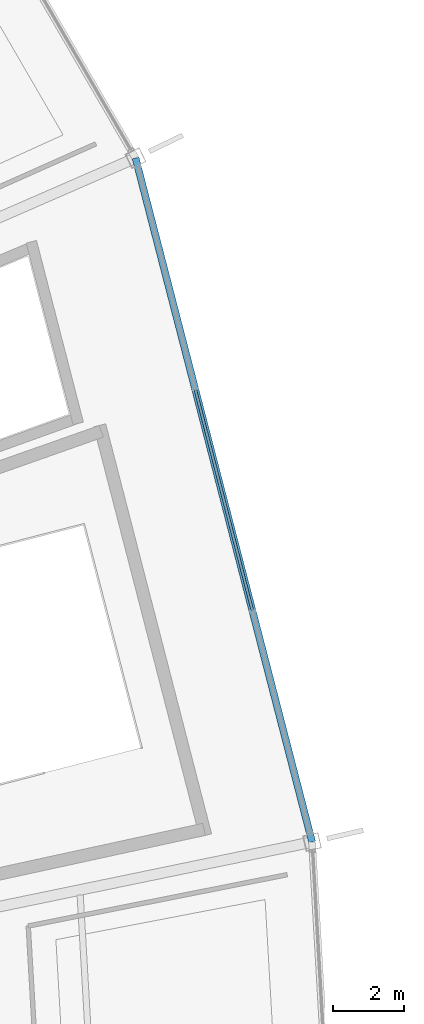
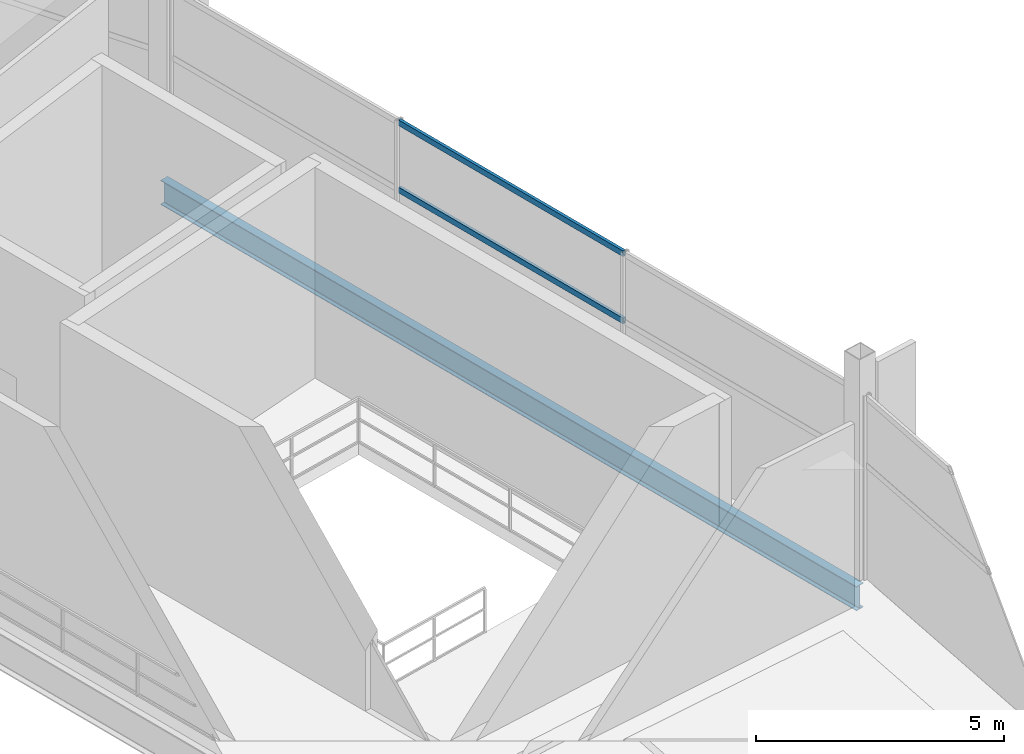
# One storey, part 80 of 186: 2 members, 1 beam, 1 element without a shape of its own.
"""IFC4 building model written with IfcOpenShell, lengths in metres."""

from ifc_helpers import new_model, si_unit, direction, frame, origin, origin_2d, place, context, subcontext, project, spatial, hollow_rectangle, i_section, extrude, material, layer, layer_set, material_profile, profile_set, type_object, element, aggregate, save


model = new_model("IFC4")

# Units and contexts
model_context = context("Model", 3, precision=1e-05, world=origin(), true_north=direction((0.0, 1.0)))
body_context = subcontext(model_context, "Body", "Model", "MODEL_VIEW")
ifc_project = project(units=[si_unit("LENGTHUNIT", "METRE"), si_unit("AREAUNIT", "SQUARE_METRE"), si_unit("VOLUMEUNIT", "CUBIC_METRE"), si_unit("PLANEANGLEUNIT", "RADIAN"), si_unit("MASSUNIT", "GRAM", prefix="KILO")], contexts=[model_context])

# Site, building, storey
site_placement = place(None, origin())
site = spatial("IfcSite", under=ifc_project, at=site_placement, CompositionType="ELEMENT")
building_placement = place(site_placement, origin())
building = spatial("IfcBuilding", under=site, at=building_placement, Name="Kazemori Nagisa Stadium", CompositionType="ELEMENT")
storey_placement = place(building_placement, frame((0.0, 0.0, 20.39990234375)))
storey = spatial("IfcBuildingStorey", under=building, at=storey_placement, Name="L04", CompositionType="ELEMENT", Elevation=20.39990234375)

# Beam
ifc_material_1 = material(Name="Steel SN490B", Category="steel")
ifc_material_profile_1 = material_profile(ifc_material_1, i_section(OverallWidth=0.199951171875, OverallDepth=0.60009765625, WebThickness=0.010986328125, FlangeThickness=0.01708984375, FilletRadius=0.012939453125, at=origin_2d()), Name="H-600x200x11x17")
ifc_profile_set_1 = profile_set([ifc_material_profile_1], Name="Steel SN490B")
beam_type = type_object("IfcBeamType", Name="Beam_BS-H600", PredefinedType="SPANDREL", material=ifc_profile_set_1)
beam_placement = place(storey_placement, frame((216.880859375, 121.397705078125, -0.599853515625), z_axis=(-0.249964097999, 0.968255105699, 0.0), x_axis=(-0.968255105699, -0.249964097999, 0.0)))
element("IfcBeam", 1, at=beam_placement, inside=storey, type_object=beam_type, Name="Ring girder BS-H600 L04 R3-02", PredefinedType="SPANDREL", context=body_context, shape_type="SweptSolid", body=[
    extrude(i_section(OverallWidth=0.199951171875, OverallDepth=0.60009765625, WebThickness=0.010986328125, FlangeThickness=0.01708984375, FilletRadius=0.012939453125, at=origin_2d()), origin(), (0.0, 0.0, 1.0), 19.986328125),
])

# Curtain wall, members
ifc_material_2 = material(Name="Anodised aluminium 6063-T5", Category="aluminium")
ifc_layer = layer(ifc_material_2, 0.179931640625, Name="Anodised aluminium 6063-T5", Category="aluminium")
ifc_layer_set = layer_set([ifc_layer], Name="Anodised aluminium 6063-T5")
curtain_wall_type = type_object("IfcCurtainWallType", Name="CW_L04R3_98", PredefinedType="USERDEFINED", material=ifc_layer_set)
curtain_wall_placement = place(storey_placement, origin())
curtain_wall = element("IfcCurtainWall", 2, at=curtain_wall_placement, inside=storey, type_object=curtain_wall_type, Name="Unitised curtain wall CW-L04R3-98 L04", ObjectType="UNITISED CURTAIN WALL", PredefinedType="USERDEFINED")
ifc_material_3 = material(Name="Aluminium 6063-T5 anodised", Category="aluminium")
ifc_material_profile_2 = material_profile(ifc_material_3, hollow_rectangle(XDim=0.070068359375, YDim=0.139892578125, WallThickness=0.00390625, at=origin_2d()), Name="ALU-TRAN-70x140x4")
ifc_profile_set_2 = profile_set([ifc_material_profile_2], Name="Aluminium 6063-T5 anodised")
member_type = type_object("IfcMemberType", Name="Transom_T01", PredefinedType="USERDEFINED", material=ifc_profile_set_2)
member_1_placement = place(storey_placement, frame((215.189208984375, 127.949951171875, 2.80859375), z_axis=(-0.249962703007, 0.968255465828, 0.0), x_axis=(-0.968255465828, -0.249962703007, 0.0)))
member_1 = element("IfcMember", 3, at=member_1_placement, type_object=member_type, Name="Curtain wall transom CW-L04R3-98-T2-mid", ObjectType="TRANSOM", PredefinedType="USERDEFINED", context=body_context, shape_type="SweptSolid", body=[
    extrude(hollow_rectangle(XDim=0.070068359375, YDim=0.139892578125, WallThickness=0.00390625, at=origin_2d()), origin(), (0.0, 0.0, 1.0), 6.4521484375),
])
member_2_placement = place(storey_placement, frame((215.189208984375, 127.949951171875, 4.460205078125), z_axis=(-0.249962703007, 0.968255465828, 0.0), x_axis=(-0.968255465828, -0.249962703007, 0.0)))
member_2 = element("IfcMember", 4, at=member_2_placement, type_object=member_type, Name="Curtain wall transom CW-L04R3-98-T2-head", ObjectType="TRANSOM", PredefinedType="USERDEFINED", context=body_context, shape_type="SweptSolid", body=[
    extrude(hollow_rectangle(XDim=0.070068359375, YDim=0.139892578125, WallThickness=0.00390625, at=origin_2d()), origin(), (0.0, 0.0, 1.0), 6.4521484375),
])
aggregate(curtain_wall, [member_1, member_2])

save(model, "model.ifc")
